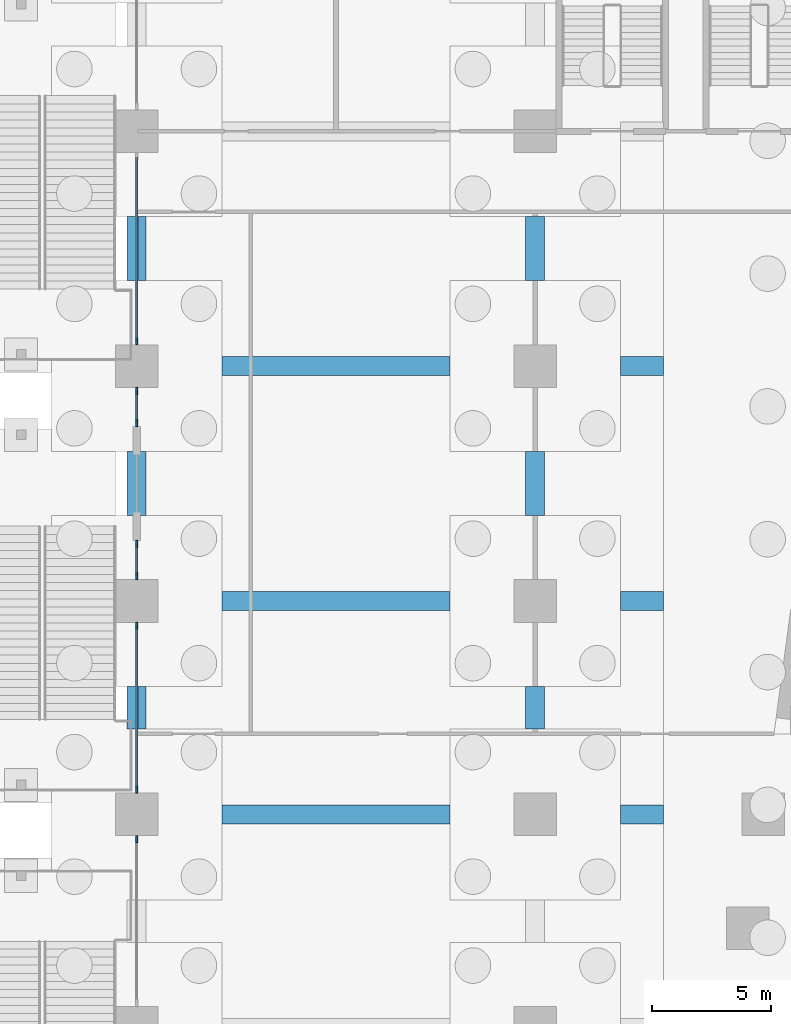
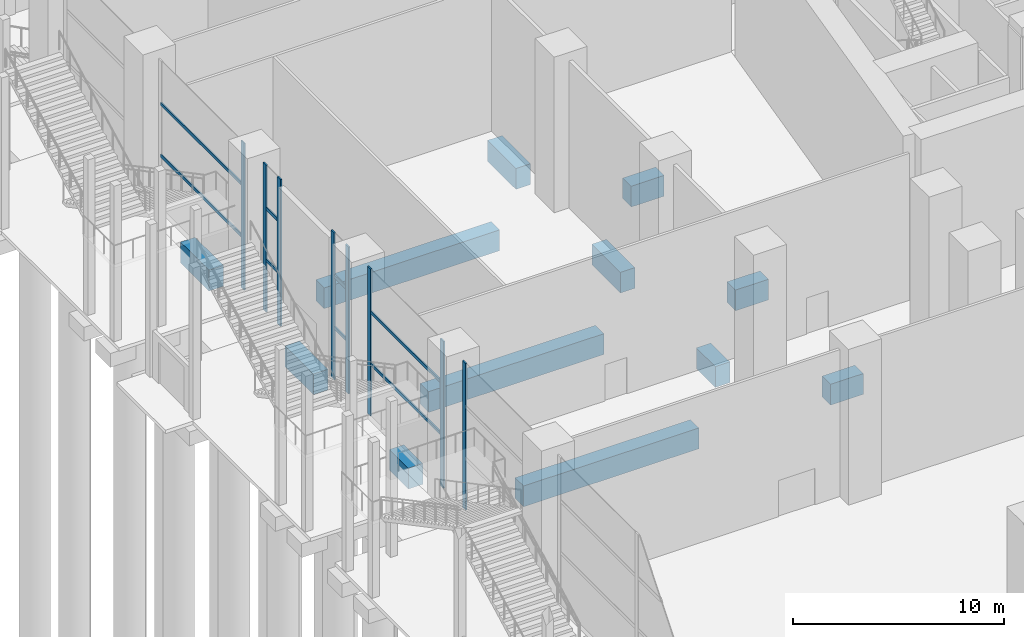
# One storey, part 19 of 72: 16 members, 12 beams, 5 elements without a shape of their own.
"""IFC4 building model written with IfcOpenShell, lengths in metres."""

from ifc_helpers import new_model, si_unit, direction, frame, origin, origin_2d, place, context, subcontext, project, spatial, rectangle, extrude, material, material_profile, profile_set, type_object, element, aggregate, save


model = new_model("IFC4")

# Units and contexts
model_context = context("Model", 3, precision=1e-05, world=origin(), true_north=direction((0.0, 1.0)))
body_context = subcontext(model_context, "Body", "Model", "MODEL_VIEW")
ifc_project = project(units=[si_unit("LENGTHUNIT", "METRE"), si_unit("AREAUNIT", "SQUARE_METRE"), si_unit("VOLUMEUNIT", "CUBIC_METRE"), si_unit("PLANEANGLEUNIT", "RADIAN"), si_unit("MASSUNIT", "GRAM", prefix="KILO")], contexts=[model_context])

# Site, building, storey
site_placement = place(None, origin())
site = spatial("IfcSite", under=ifc_project, at=site_placement, CompositionType="ELEMENT")
building_placement = place(site_placement, origin())
building = spatial("IfcBuilding", under=site, at=building_placement, Name="Candeia Pilgrim Tower and Theatre", CompositionType="ELEMENT")
storey_placement = place(building_placement, origin())
storey = spatial("IfcBuildingStorey", under=building, at=storey_placement, Name="L00", CompositionType="ELEMENT", Elevation=0.0)

# Curtain wall, member
ifc_material_1 = material(Name="Aluminium framed podium glazing", Category="aluminium")
curtain_wall_type = type_object("IfcCurtainWallType", Name="CW-P curtain wall", PredefinedType="NOTDEFINED", material=ifc_material_1)
curtain_wall_1_placement = place(storey_placement, origin())
curtain_wall_1 = element("IfcCurtainWall", 1, at=curtain_wall_1_placement, inside=storey, type_object=curtain_wall_type, Name="Curtain wall CW-P L00.020", PredefinedType="NOTDEFINED")
ifc_material_2 = material(Name="Anodised aluminium", Category="aluminium")
ifc_material_profile_1 = material_profile(ifc_material_2, rectangle(XDim=0.080078125, YDim=0.300048828125, at=origin_2d()))
ifc_profile_set_1 = profile_set([ifc_material_profile_1], Name="Anodised aluminium")
member_type_1 = type_object("IfcMemberType", Name="CW-P mullion 80x300", PredefinedType="MULLION", material=ifc_profile_set_1)
member_1_placement = place(storey_placement, frame((58.800048828125, 105.949951171875, 0.0), z_axis=(0.0, 0.0, 1.0), x_axis=(-1.0, 0.0, 0.0)))
member_1 = element("IfcMember", 2, at=member_1_placement, type_object=member_type_1, Name="CW-P mullion 2", PredefinedType="MULLION", context=body_context, shape_type="SweptSolid", body=[
    extrude(rectangle(XDim=0.080078125, YDim=0.300048828125, at=origin_2d()), origin(), (0.0, 0.0, 1.0), 8.5),
])
aggregate(curtain_wall_1, [member_1])

# Curtain wall, members
curtain_wall_2_placement = place(storey_placement, origin())
curtain_wall_2 = element("IfcCurtainWall", 3, at=curtain_wall_2_placement, inside=storey, type_object=curtain_wall_type, Name="Curtain wall CW-P L00.030", PredefinedType="NOTDEFINED")
member_2_placement = place(storey_placement, frame((58.800048828125, 108.050048828125, 0.0), z_axis=(0.0, 0.0, 1.0), x_axis=(-1.0, 0.0, 0.0)))
member_2 = element("IfcMember", 4, at=member_2_placement, type_object=member_type_1, Name="CW-P mullion 1", PredefinedType="MULLION", context=body_context, shape_type="SweptSolid", body=[
    extrude(rectangle(XDim=0.080078125, YDim=0.300048828125, at=origin_2d()), origin(), (0.0, 0.0, 1.0), 8.5),
])
member_3_placement = place(storey_placement, frame((58.800048828125, 114.949951171875, 0.0), z_axis=(0.0, 0.0, 1.0), x_axis=(-1.0, 0.0, 0.0)))
member_3 = element("IfcMember", 5, at=member_3_placement, type_object=member_type_1, Name="CW-P mullion 2", PredefinedType="MULLION", context=body_context, shape_type="SweptSolid", body=[
    extrude(rectangle(XDim=0.080078125, YDim=0.300048828125, at=origin_2d()), origin(), (0.0, 0.0, 1.0), 8.5),
])

curtain_wall_3_placement = place(storey_placement, origin())
curtain_wall_3 = element("IfcCurtainWall", 6, at=curtain_wall_3_placement, inside=storey, type_object=curtain_wall_type, Name="Curtain wall CW-P L00.040", PredefinedType="NOTDEFINED")
member_4_placement = place(storey_placement, frame((58.800048828125, 117.050048828125, 0.0), z_axis=(0.0, 0.0, 1.0), x_axis=(-1.0, 0.0, 0.0)))
member_4 = element("IfcMember", 7, at=member_4_placement, type_object=member_type_1, Name="CW-P mullion 1", PredefinedType="MULLION", context=body_context, shape_type="SweptSolid", body=[
    extrude(rectangle(XDim=0.080078125, YDim=0.300048828125, at=origin_2d()), origin(), (0.0, 0.0, 1.0), 8.5),
])
member_5_placement = place(storey_placement, frame((58.800048828125, 118.39990234375, 0.0), z_axis=(0.0, 0.0, 1.0), x_axis=(-1.0, 0.0, 0.0)))
member_5 = element("IfcMember", 8, at=member_5_placement, type_object=member_type_1, Name="CW-P mullion 2", PredefinedType="MULLION", context=body_context, shape_type="SweptSolid", body=[
    extrude(rectangle(XDim=0.080078125, YDim=0.300048828125, at=origin_2d()), origin(), (0.0, 0.0, 1.0), 8.5),
])

curtain_wall_4_placement = place(storey_placement, origin())
curtain_wall_4 = element("IfcCurtainWall", 9, at=curtain_wall_4_placement, inside=storey, type_object=curtain_wall_type, Name="Curtain wall CW-P L00.041", PredefinedType="NOTDEFINED")
member_6_placement = place(storey_placement, frame((58.800048828125, 123.5, 0.0), z_axis=(0.0, 0.0, 1.0), x_axis=(-1.0, 0.0, 0.0)))
member_6 = element("IfcMember", 10, at=member_6_placement, type_object=member_type_1, Name="CW-P mullion 1", PredefinedType="MULLION", context=body_context, shape_type="SweptSolid", body=[
    extrude(rectangle(XDim=0.080078125, YDim=0.300048828125, at=origin_2d()), origin(), (0.0, 0.0, 1.0), 8.5),
])
member_7_placement = place(storey_placement, frame((58.800048828125, 124.85009765625, 0.0), z_axis=(0.0, 0.0, 1.0), x_axis=(-1.0, 0.0, 0.0)))
member_7 = element("IfcMember", 11, at=member_7_placement, type_object=member_type_1, Name="CW-P mullion 2", PredefinedType="MULLION", context=body_context, shape_type="SweptSolid", body=[
    extrude(rectangle(XDim=0.080078125, YDim=0.300048828125, at=origin_2d()), origin(), (0.0, 0.0, 1.0), 8.5),
])

# Curtain wall, member
curtain_wall_5_placement = place(storey_placement, origin())
curtain_wall_5 = element("IfcCurtainWall", 12, at=curtain_wall_5_placement, inside=storey, type_object=curtain_wall_type, Name="Curtain wall CW-P L00.050", PredefinedType="NOTDEFINED")
member_8_placement = place(storey_placement, frame((58.800048828125, 126.949951171875, 0.0), z_axis=(0.0, 0.0, 1.0), x_axis=(-1.0, 0.0, 0.0)))
member_8 = element("IfcMember", 13, at=member_8_placement, type_object=member_type_1, Name="CW-P mullion 1", PredefinedType="MULLION", context=body_context, shape_type="SweptSolid", body=[
    extrude(rectangle(XDim=0.080078125, YDim=0.300048828125, at=origin_2d()), origin(), (0.0, 0.0, 1.0), 8.5),
])

# Member
ifc_material_profile_2 = material_profile(ifc_material_2, rectangle(XDim=0.080078125, YDim=0.179931640625, at=origin_2d()))
ifc_profile_set_2 = profile_set([ifc_material_profile_2], Name="Anodised aluminium")
member_type_2 = type_object("IfcMemberType", Name="CW-P transom 80x180", PredefinedType="USERDEFINED", material=ifc_profile_set_2)
member_9_placement = place(storey_placement, frame((58.800048828125, 108.090087890625, 3.0), z_axis=(0.0, 1.0, 0.0), x_axis=(-1.0, 0.0, 0.0)))
member_9 = element("IfcMember", 14, at=member_9_placement, type_object=member_type_2, Name="CW-P transom 1.1", ObjectType="TRANSOM", PredefinedType="USERDEFINED", context=body_context, shape_type="SweptSolid", body=[
    extrude(rectangle(XDim=0.080078125, YDim=0.179931640625, at=origin_2d()), origin(), (0.0, 0.0, 1.0), 6.81982421875),
])

member_10_placement = place(storey_placement, frame((58.800048828125, 108.090087890625, 6.0), z_axis=(0.0, 1.0, 0.0), x_axis=(-1.0, 0.0, 0.0)))
member_10 = element("IfcMember", 15, at=member_10_placement, type_object=member_type_2, Name="CW-P transom 1.2", ObjectType="TRANSOM", PredefinedType="USERDEFINED", context=body_context, shape_type="SweptSolid", body=[
    extrude(rectangle(XDim=0.080078125, YDim=0.179931640625, at=origin_2d()), origin(), (0.0, 0.0, 1.0), 6.81982421875),
])

aggregate(curtain_wall_2, [member_2, member_3, member_9, member_10])

member_11_placement = place(storey_placement, frame((58.800048828125, 117.090087890625, 3.0), z_axis=(0.0, 1.0, 0.0), x_axis=(-1.0, 0.0, 0.0)))
member_11 = element("IfcMember", 16, at=member_11_placement, type_object=member_type_2, Name="CW-P transom 1.1", ObjectType="TRANSOM", PredefinedType="USERDEFINED", context=body_context, shape_type="SweptSolid", body=[
    extrude(rectangle(XDim=0.080078125, YDim=0.179931640625, at=origin_2d()), origin(), (0.0, 0.0, 1.0), 1.27001953125),
])

member_12_placement = place(storey_placement, frame((58.800048828125, 117.090087890625, 6.0), z_axis=(0.0, 1.0, 0.0), x_axis=(-1.0, 0.0, 0.0)))
member_12 = element("IfcMember", 17, at=member_12_placement, type_object=member_type_2, Name="CW-P transom 1.2", ObjectType="TRANSOM", PredefinedType="USERDEFINED", context=body_context, shape_type="SweptSolid", body=[
    extrude(rectangle(XDim=0.080078125, YDim=0.179931640625, at=origin_2d()), origin(), (0.0, 0.0, 1.0), 1.27001953125),
])

aggregate(curtain_wall_3, [member_4, member_5, member_11, member_12])

member_13_placement = place(storey_placement, frame((58.800048828125, 123.5400390625, 3.0), z_axis=(0.0, 1.0, 0.0), x_axis=(-1.0, 0.0, 0.0)))
member_13 = element("IfcMember", 18, at=member_13_placement, type_object=member_type_2, Name="CW-P transom 1.1", ObjectType="TRANSOM", PredefinedType="USERDEFINED", context=body_context, shape_type="SweptSolid", body=[
    extrude(rectangle(XDim=0.080078125, YDim=0.179931640625, at=origin_2d()), origin(), (0.0, 0.0, 1.0), 1.27001953125),
])

member_14_placement = place(storey_placement, frame((58.800048828125, 123.5400390625, 6.0), z_axis=(0.0, 1.0, 0.0), x_axis=(-1.0, 0.0, 0.0)))
member_14 = element("IfcMember", 19, at=member_14_placement, type_object=member_type_2, Name="CW-P transom 1.2", ObjectType="TRANSOM", PredefinedType="USERDEFINED", context=body_context, shape_type="SweptSolid", body=[
    extrude(rectangle(XDim=0.080078125, YDim=0.179931640625, at=origin_2d()), origin(), (0.0, 0.0, 1.0), 1.27001953125),
])

aggregate(curtain_wall_4, [member_6, member_7, member_13, member_14])

member_15_placement = place(storey_placement, frame((58.800048828125, 126.989990234375, 3.0), z_axis=(0.0, 1.0, 0.0), x_axis=(-1.0, 0.0, 0.0)))
member_15 = element("IfcMember", 20, at=member_15_placement, type_object=member_type_2, Name="CW-P transom 1.1", ObjectType="TRANSOM", PredefinedType="USERDEFINED", context=body_context, shape_type="SweptSolid", body=[
    extrude(rectangle(XDim=0.080078125, YDim=0.179931640625, at=origin_2d()), origin(), (0.0, 0.0, 1.0), 7.719970703125),
])

member_16_placement = place(storey_placement, frame((58.800048828125, 126.989990234375, 6.0), z_axis=(0.0, 1.0, 0.0), x_axis=(-1.0, 0.0, 0.0)))
member_16 = element("IfcMember", 21, at=member_16_placement, type_object=member_type_2, Name="CW-P transom 1.2", ObjectType="TRANSOM", PredefinedType="USERDEFINED", context=body_context, shape_type="SweptSolid", body=[
    extrude(rectangle(XDim=0.080078125, YDim=0.179931640625, at=origin_2d()), origin(), (0.0, 0.0, 1.0), 7.719970703125),
])

aggregate(curtain_wall_5, [member_8, member_15, member_16])

# Beams
ifc_material_3 = material(Name="Concrete C40/50", Category="concrete")
ifc_material_profile_3 = material_profile(ifc_material_3, rectangle(XDim=0.800048828125, YDim=1.199951171875, at=origin_2d()))
ifc_profile_set_3 = profile_set([ifc_material_profile_3], Name="Concrete C40/50")
beam_type = type_object("IfcBeamType", Name="RC 800x1200 C40/50", PredefinedType="BEAM", material=ifc_profile_set_3)
beam_1_placement = place(storey_placement, frame((75.60009765625, 110.60009765625, -0.949951171875), z_axis=(0.0, 1.0, 0.0), x_axis=(-1.0, 0.0, 0.0)))
element("IfcBeam", 22, at=beam_1_placement, inside=storey, type_object=beam_type, Name="Ground beam 025", PredefinedType="BEAM", context=body_context, shape_type="SweptSolid", body=[
    extrude(rectangle(XDim=0.800048828125, YDim=1.199951171875, at=origin_2d()), origin(), (0.0, 0.0, 1.0), 1.7998046875),
])
beam_2_placement = place(storey_placement, frame((72.0, 107.0, -0.949951171875), z_axis=(-1.0, 0.0, 0.0), x_axis=(0.0, -1.0, 0.0)))
element("IfcBeam", 23, at=beam_2_placement, inside=storey, type_object=beam_type, Name="Ground beam 026", PredefinedType="BEAM", context=body_context, shape_type="SweptSolid", body=[
    extrude(rectangle(XDim=0.800048828125, YDim=1.199951171875, at=origin_2d()), origin(), (0.0, 0.0, 1.0), 9.60009765625),
])
beam_3_placement = place(storey_placement, frame((75.60009765625, 119.60009765625, -0.949951171875), z_axis=(0.0, 1.0, 0.0), x_axis=(-1.0, 0.0, 0.0)))
element("IfcBeam", 24, at=beam_3_placement, inside=storey, type_object=beam_type, Name="Ground beam 027", PredefinedType="BEAM", context=body_context, shape_type="SweptSolid", body=[
    extrude(rectangle(XDim=0.800048828125, YDim=1.199951171875, at=origin_2d()), origin(), (0.0, 0.0, 1.0), 2.699951171875),
])
beam_4_placement = place(storey_placement, frame((72.0, 116.0, -0.949951171875), z_axis=(-1.0, 0.0, 0.0), x_axis=(0.0, -1.0, 0.0)))
element("IfcBeam", 25, at=beam_4_placement, inside=storey, type_object=beam_type, Name="Ground beam 028", PredefinedType="BEAM", context=body_context, shape_type="SweptSolid", body=[
    extrude(rectangle(XDim=0.800048828125, YDim=1.199951171875, at=origin_2d()), origin(), (0.0, 0.0, 1.0), 9.60009765625),
])
beam_5_placement = place(storey_placement, frame((75.60009765625, 129.5, -0.949951171875), z_axis=(0.0, 1.0, 0.0), x_axis=(-1.0, 0.0, 0.0)))
element("IfcBeam", 26, at=beam_5_placement, inside=storey, type_object=beam_type, Name="Ground beam 029", PredefinedType="BEAM", context=body_context, shape_type="SweptSolid", body=[
    extrude(rectangle(XDim=0.800048828125, YDim=1.199951171875, at=origin_2d()), origin(), (0.0, 0.0, 1.0), 2.699951171875),
])
beam_6_placement = place(storey_placement, frame((72.0, 125.89990234375, -0.949951171875), z_axis=(-1.0, 0.0, 0.0), x_axis=(0.0, -1.0, 0.0)))
element("IfcBeam", 27, at=beam_6_placement, inside=storey, type_object=beam_type, Name="Ground beam 030", PredefinedType="BEAM", context=body_context, shape_type="SweptSolid", body=[
    extrude(rectangle(XDim=0.800048828125, YDim=1.199951171875, at=origin_2d()), origin(), (0.0, 0.0, 1.0), 9.60009765625),
])
beam_7_placement = place(storey_placement, frame((58.800048828125, 110.60009765625, -0.949951171875), z_axis=(0.0, 1.0, 0.0), x_axis=(-1.0, 0.0, 0.0)))
element("IfcBeam", 28, at=beam_7_placement, inside=storey, type_object=beam_type, Name="Ground beam 039", PredefinedType="BEAM", context=body_context, shape_type="SweptSolid", body=[
    extrude(rectangle(XDim=0.800048828125, YDim=1.199951171875, at=origin_2d()), origin(), (0.0, 0.0, 1.0), 1.7998046875),
])
for number, where, z_axis, x_axis, name in (
    (29, (58.800048828125, 119.60009765625, -0.949951171875), (0.0, 1.0, 0.0), (-1.0, 0.0, 0.0), "Ground beam 040"),
    (30, (58.800048828125, 129.5, -0.949951171875), (0.0, 1.0, 0.0), (-1.0, 0.0, 0.0), "Ground beam 041"),
):
    element("IfcBeam", number, at=place(storey_placement, frame(where, z_axis=z_axis, x_axis=x_axis)), inside=storey, type_object=beam_type, Name=name, PredefinedType="BEAM", context=body_context, shape_type="SweptSolid", body=[
        extrude(rectangle(XDim=0.800048828125, YDim=1.199951171875, at=origin_2d()), origin(), (0.0, 0.0, 1.0), 2.699951171875),
    ])
for number, where, z_axis, x_axis, name in (
    (31, (79.199951171875, 107.0, -0.949951171875), (1.0, 0.0, 0.0), (0.0, 1.0, 0.0), "Ground beam 055"),
    (32, (79.199951171875, 116.0, -0.949951171875), (1.0, 0.0, 0.0), (0.0, 1.0, 0.0), "Ground beam 056"),
    (33, (79.199951171875, 125.89990234375, -0.949951171875), (1.0, 0.0, 0.0), (0.0, 1.0, 0.0), "Ground beam 057"),
):
    element("IfcBeam", number, at=place(storey_placement, frame(where, z_axis=z_axis, x_axis=x_axis)), inside=storey, type_object=beam_type, Name=name, PredefinedType="BEAM", context=body_context, shape_type="SweptSolid", body=[
        extrude(rectangle(XDim=0.800048828125, YDim=1.199951171875, at=origin_2d()), origin(), (0.0, 0.0, 1.0), 1.800048828125),
    ])

save(model, "model.ifc")
